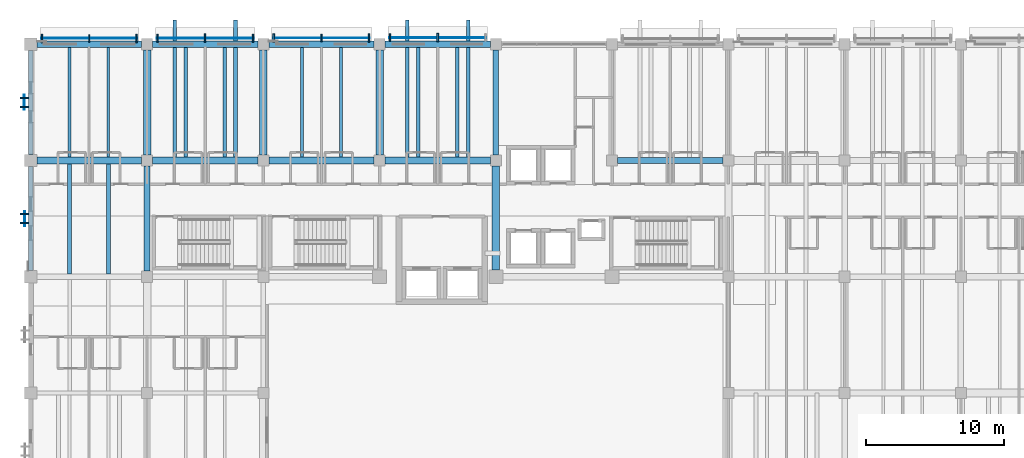
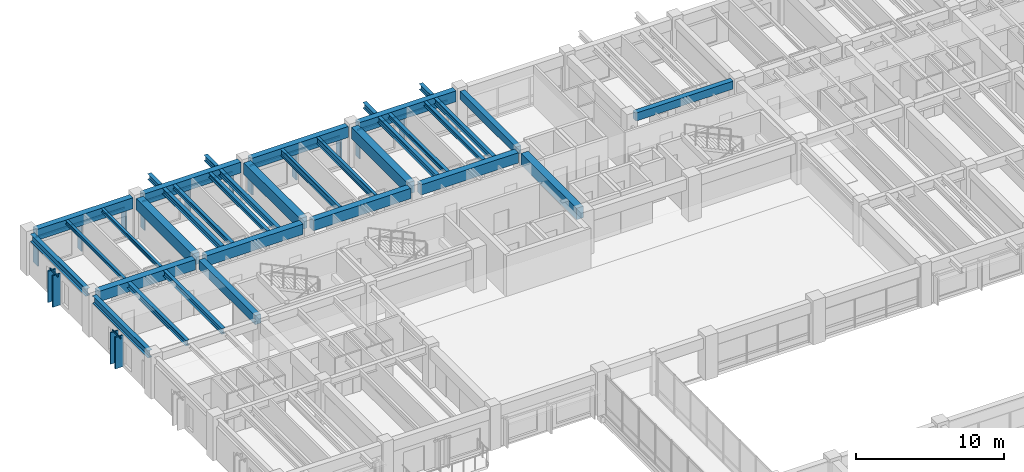
# One storey, part 31 of 118: 31 beams, 21 members, 6 elements without a shape of their own.
"""IFC4 building model written with IfcOpenShell, lengths in metres."""

from ifc_helpers import new_model, si_unit, direction, frame, origin, origin_2d, place, context, subcontext, project, spatial, rectangle, i_section, extrude, material, material_profile, profile_set, type_object, element, aggregate, save


model = new_model("IFC4")

# Units and contexts
model_context = context("Model", 3, precision=1e-05, world=origin(), true_north=direction((0.0, 1.0)))
body_context = subcontext(model_context, "Body", "Model", "MODEL_VIEW")
ifc_project = project(units=[si_unit("LENGTHUNIT", "METRE"), si_unit("AREAUNIT", "SQUARE_METRE"), si_unit("VOLUMEUNIT", "CUBIC_METRE"), si_unit("PLANEANGLEUNIT", "RADIAN"), si_unit("MASSUNIT", "GRAM", prefix="KILO")], contexts=[model_context])

# Site, building, storey
site_placement = place(None, origin())
site = spatial("IfcSite", under=ifc_project, at=site_placement, CompositionType="ELEMENT")
building_placement = place(site_placement, origin())
building = spatial("IfcBuilding", under=site, at=building_placement, Name="Cumbredor Promenade Congress Hotel", CompositionType="ELEMENT")
storey_placement = place(building_placement, frame((0.0, 0.0, 3.919921875)))
storey = spatial("IfcBuildingStorey", under=building, at=storey_placement, Name="L01", CompositionType="ELEMENT", Elevation=3.919921875)

# Beams
ifc_material_1 = material(Name="Concrete C40/50", Category="concrete")
ifc_material_profile_1 = material_profile(ifc_material_1, rectangle(XDim=0.39990234375, YDim=0.64990234375, at=origin_2d()), Name="RC BEAM 400x650")
ifc_profile_set_1 = profile_set([ifc_material_profile_1], Name="Concrete C40/50")
beam_type_1 = type_object("IfcBeamType", Name="BM-RC-400x650", PredefinedType="BEAM", material=ifc_profile_set_1)
beam_1_placement = place(storey_placement, frame((33.60009765625, 109.60009765625, 3.03515625), z_axis=(0.0, 1.0, 0.0), x_axis=(-1.0, 0.0, 0.0)))
element("IfcBeam", 1, at=beam_1_placement, inside=storey, type_object=beam_type_1, Name="L02 Y-Grid Beam 065", PredefinedType="BEAM", context=body_context, shape_type="SweptSolid", body=[
    extrude(rectangle(XDim=0.39990234375, YDim=0.64990234375, at=origin_2d()), origin(), (0.0, 0.0, 1.0), 7.599853515625),
])
beam_2_placement = place(storey_placement, frame((42.39990234375, 109.199951171875, 3.03515625), z_axis=(1.0, 0.0, 0.0), x_axis=(0.0, 1.0, 0.0)))
element("IfcBeam", 2, at=beam_2_placement, inside=storey, type_object=beam_type_1, Name="L02 X-Grid Beam 073", PredefinedType="BEAM", context=body_context, shape_type="SweptSolid", body=[
    extrude(rectangle(XDim=0.39990234375, YDim=0.64990234375, at=origin_2d()), origin(), (0.0, 0.0, 1.0), 7.60009765625),
])
ifc_material_profile_2 = material_profile(ifc_material_1, rectangle(XDim=0.449951171875, YDim=0.75, at=origin_2d()), Name="RC BEAM 450x750")
ifc_profile_set_2 = profile_set([ifc_material_profile_2], Name="Concrete C40/50")
beam_type_2 = type_object("IfcBeamType", Name="BM-RC-450x750", PredefinedType="BEAM", material=ifc_profile_set_2)
beam_3_placement = place(storey_placement, frame((8.39990234375, 101.199951171875, 2.985107421875), z_axis=(0.0, 1.0, 0.0), x_axis=(-1.0, 0.0, 0.0)))
element("IfcBeam", 3, at=beam_3_placement, inside=storey, type_object=beam_type_2, Name="L02 Y-Grid Beam 030", PredefinedType="BEAM", context=body_context, shape_type="SweptSolid", body=[
    extrude(rectangle(XDim=0.449951171875, YDim=0.75, at=origin_2d()), origin(), (0.0, 0.0, 1.0), 7.60009765625),
])
ifc_material_profile_3 = material_profile(ifc_material_1, rectangle(XDim=0.5, YDim=0.85009765625, at=origin_2d()), Name="RC BEAM 500x850")
ifc_profile_set_3 = profile_set([ifc_material_profile_3], Name="Concrete C40/50")
beam_type_3 = type_object("IfcBeamType", Name="BM-RC-500x850", PredefinedType="BEAM", material=ifc_profile_set_3)
beam_4_placement = place(storey_placement, frame((0.449951171875, 109.199951171875, 2.93505859375), z_axis=(1.0, 0.0, 0.0), x_axis=(0.0, 1.0, 0.0)))
element("IfcBeam", 4, at=beam_4_placement, inside=storey, type_object=beam_type_3, Name="L02 X-Grid Beam 007", PredefinedType="BEAM", context=body_context, shape_type="SweptSolid", body=[
    extrude(rectangle(XDim=0.5, YDim=0.85009765625, at=origin_2d()), origin(), (0.0, 0.0, 1.0), 7.550048828125),
])
beam_5_placement = place(storey_placement, frame((8.800048828125, 109.199951171875, 2.93505859375), z_axis=(1.0, 0.0, 0.0), x_axis=(0.0, 1.0, 0.0)))
element("IfcBeam", 5, at=beam_5_placement, inside=storey, type_object=beam_type_3, Name="L02 X-Grid Beam 031", PredefinedType="BEAM", context=body_context, shape_type="SweptSolid", body=[
    extrude(rectangle(XDim=0.5, YDim=0.85009765625, at=origin_2d()), origin(), (0.0, 0.0, 1.0), 7.599853515625),
])
beam_6_placement = place(storey_placement, frame((17.199951171875, 109.199951171875, 2.93505859375), z_axis=(1.0, 0.0, 0.0), x_axis=(0.0, 1.0, 0.0)))
element("IfcBeam", 6, at=beam_6_placement, inside=storey, type_object=beam_type_3, Name="L02 X-Grid Beam 047", PredefinedType="BEAM", context=body_context, shape_type="SweptSolid", body=[
    extrude(rectangle(XDim=0.5, YDim=0.85009765625, at=origin_2d()), origin(), (0.0, 0.0, 1.0), 7.60009765625),
])
beam_7_placement = place(storey_placement, frame((25.60009765625, 109.199951171875, 2.93505859375), z_axis=(1.0, 0.0, 0.0), x_axis=(0.0, 1.0, 0.0)))
element("IfcBeam", 7, at=beam_7_placement, inside=storey, type_object=beam_type_3, Name="L02 X-Grid Beam 055", PredefinedType="BEAM", context=body_context, shape_type="SweptSolid", body=[
    extrude(rectangle(XDim=0.5, YDim=0.85009765625, at=origin_2d()), origin(), (0.0, 0.0, 1.0), 7.599853515625),
])
ifc_material_profile_4 = material_profile(ifc_material_1, rectangle(XDim=0.550048828125, YDim=0.949951171875, at=origin_2d()), Name="RC BEAM 550x950")
ifc_profile_set_4 = profile_set([ifc_material_profile_4], Name="Concrete C40/50")
beam_type_4 = type_object("IfcBeamType", Name="BM-RC-550x950", PredefinedType="BEAM", material=ifc_profile_set_4)
for number, where, z_axis, x_axis, name in (
    (8, (8.39990234375, 109.60009765625, 2.885009765625), (0.0, 1.0, 0.0), (-1.0, 0.0, 0.0), "L02 Y-Grid Beam 032"),
    (9, (16.800048828125, 109.60009765625, 2.885009765625), (0.0, 1.0, 0.0), (-1.0, 0.0, 0.0), "L02 Y-Grid Beam 048"),
    (10, (25.199951171875, 109.60009765625, 2.885009765625), (0.0, 1.0, 0.0), (-1.0, 0.0, 0.0), "L02 Y-Grid Beam 056"),
):
    element("IfcBeam", number, at=place(storey_placement, frame(where, z_axis=z_axis, x_axis=x_axis)), inside=storey, type_object=beam_type_4, Name=name, PredefinedType="BEAM", context=body_context, shape_type="SweptSolid", body=[
        extrude(rectangle(XDim=0.550048828125, YDim=0.949951171875, at=origin_2d()), origin(), (0.0, 0.0, 1.0), 7.599853515625),
    ])
beam_8_placement = place(storey_placement, frame((33.60009765625, 101.300048828125, 2.885009765625), z_axis=(0.0, 1.0, 0.0), x_axis=(-1.0, 0.0, 0.0)))
element("IfcBeam", 11, at=beam_8_placement, inside=storey, type_object=beam_type_4, Name="L02 Y-Grid Beam 064", PredefinedType="BEAM", context=body_context, shape_type="SweptSolid", body=[
    extrude(rectangle(XDim=0.550048828125, YDim=0.949951171875, at=origin_2d()), origin(), (0.0, 0.0, 1.0), 7.5),
])

# Curtain wall, member
ifc_material_2 = material(Name="Thermally broken anodized aluminium and low-E glass", Category="aluminium")
curtain_wall_type = type_object("IfcCurtainWallType", Name="Solar Brise-Soleil Screen Assembly CW-07", PredefinedType="NOTDEFINED", material=ifc_material_2)
curtain_wall_1_placement = place(storey_placement, origin())
curtain_wall_1 = element("IfcCurtainWall", 12, at=curtain_wall_1_placement, inside=storey, type_object=curtain_wall_type, Name="L01 Hospitality Brise-Soleil Screen 021", PredefinedType="NOTDEFINED")
ifc_material_3 = material(Name="Thermally broken anodized aluminium", Category="aluminium")
ifc_material_profile_5 = material_profile(ifc_material_3, rectangle(XDim=0.06494140625, YDim=0.1298828125, at=origin_2d()), Name="ALU TRANSOM 65x130")
ifc_profile_set_5 = profile_set([ifc_material_profile_5], Name="Thermally broken anodized aluminium")
member_type_1 = type_object("IfcMemberType", Name="Curtain Wall Transom TR-01", PredefinedType="USERDEFINED", material=ifc_profile_set_5)
member_1_placement = place(storey_placement, frame((0.7509765625, 118.0224609375, 2.26513671875), z_axis=(1.0, 0.0, 0.0), x_axis=(0.0, 1.0, 0.0)))
member_1 = element("IfcMember", 13, at=member_1_placement, type_object=member_type_1, Name="L01 Brise-Soleil Screen Transom 021", ObjectType="TRANSOM", PredefinedType="USERDEFINED", context=body_context, shape_type="SweptSolid", body=[
    extrude(rectangle(XDim=0.06494140625, YDim=0.1298828125, at=origin_2d()), origin(), (0.0, 0.0, 1.0), 6.947998046875),
])

curtain_wall_2_placement = place(storey_placement, origin())
curtain_wall_2 = element("IfcCurtainWall", 14, at=curtain_wall_2_placement, inside=storey, type_object=curtain_wall_type, Name="L01 Hospitality Brise-Soleil Screen 022", PredefinedType="NOTDEFINED")
member_2_placement = place(storey_placement, frame((9.10107421875, 118.034912109375, 2.26513671875), z_axis=(1.0, 0.0, 0.0), x_axis=(0.0, 1.0, 0.0)))
member_2 = element("IfcMember", 15, at=member_2_placement, type_object=member_type_1, Name="L01 Brise-Soleil Screen Transom 022", ObjectType="TRANSOM", PredefinedType="USERDEFINED", context=body_context, shape_type="SweptSolid", body=[
    extrude(rectangle(XDim=0.06494140625, YDim=0.1298828125, at=origin_2d()), origin(), (0.0, 0.0, 1.0), 6.998046875),
])

curtain_wall_3_placement = place(storey_placement, origin())
curtain_wall_3 = element("IfcCurtainWall", 16, at=curtain_wall_3_placement, inside=storey, type_object=curtain_wall_type, Name="L01 Hospitality Brise-Soleil Screen 023", PredefinedType="NOTDEFINED")
member_3_placement = place(storey_placement, frame((17.5009765625, 118.050048828125, 2.26513671875), z_axis=(1.0, 0.0, 0.0), x_axis=(0.0, 1.0, 0.0)))
member_3 = element("IfcMember", 17, at=member_3_placement, type_object=member_type_1, Name="L01 Brise-Soleil Screen Transom 023", ObjectType="TRANSOM", PredefinedType="USERDEFINED", context=body_context, shape_type="SweptSolid", body=[
    extrude(rectangle(XDim=0.06494140625, YDim=0.1298828125, at=origin_2d()), origin(), (0.0, 0.0, 1.0), 6.998046875),
])

curtain_wall_4_placement = place(storey_placement, origin())
curtain_wall_4 = element("IfcCurtainWall", 18, at=curtain_wall_4_placement, inside=storey, type_object=curtain_wall_type, Name="L01 Hospitality Brise-Soleil Screen 024", PredefinedType="NOTDEFINED")
member_4_placement = place(storey_placement, frame((25.90087890625, 118.072509765625, 2.26513671875), z_axis=(1.0, 0.0, 0.0), x_axis=(0.0, 1.0, 0.0)))
member_4 = element("IfcMember", 19, at=member_4_placement, type_object=member_type_1, Name="L01 Brise-Soleil Screen Transom 024", ObjectType="TRANSOM", PredefinedType="USERDEFINED", context=body_context, shape_type="SweptSolid", body=[
    extrude(rectangle(XDim=0.06494140625, YDim=0.1298828125, at=origin_2d()), origin(), (0.0, 0.0, 1.0), 6.998046875),
])

curtain_wall_5_placement = place(storey_placement, origin())
curtain_wall_5 = element("IfcCurtainWall", 20, at=curtain_wall_5_placement, inside=storey, type_object=curtain_wall_type, Name="L01 Pier Brise-Soleil Screen 0337", PredefinedType="NOTDEFINED")
member_5_placement = place(storey_placement, frame((-0.449951171875, 104.449951171875, 2.573974609375), z_axis=(0.0, 1.0, 0.0), x_axis=(-1.0, 0.0, 0.0)))
member_5 = element("IfcMember", 21, at=member_5_placement, type_object=member_type_1, Name="L01 Pier Brise-Soleil Header 0339", ObjectType="TRANSOM", PredefinedType="USERDEFINED", context=body_context, shape_type="SweptSolid", body=[
    extrude(rectangle(XDim=0.06494140625, YDim=0.1298828125, at=origin_2d()), origin(), (0.0, 0.0, 1.0), 1.10009765625),
])

curtain_wall_6_placement = place(storey_placement, origin())
curtain_wall_6 = element("IfcCurtainWall", 22, at=curtain_wall_6_placement, inside=storey, type_object=curtain_wall_type, Name="L01 Pier Brise-Soleil Screen 0340", PredefinedType="NOTDEFINED")
member_6_placement = place(storey_placement, frame((-0.472412109375, 112.85009765625, 2.573974609375), z_axis=(0.0, 1.0, 0.0), x_axis=(-1.0, 0.0, 0.0)))
member_6 = element("IfcMember", 23, at=member_6_placement, type_object=member_type_1, Name="L01 Pier Brise-Soleil Header 0342", ObjectType="TRANSOM", PredefinedType="USERDEFINED", context=body_context, shape_type="SweptSolid", body=[
    extrude(rectangle(XDim=0.06494140625, YDim=0.1298828125, at=origin_2d()), origin(), (0.0, 0.0, 1.0), 1.099853515625),
])

# Beams
ifc_material_4 = material(Name="Steel ASTM A992 Grade 50", Category="steel")
ifc_material_profile_6 = material_profile(ifc_material_4, i_section(OverallWidth=0.202880859375, OverallDepth=0.302978515625, WebThickness=0.007568359375, FlangeThickness=0.01318359375, at=origin_2d()), Name="W12X40")
ifc_profile_set_6 = profile_set([ifc_material_profile_6], Name="Steel ASTM A992 Grade 50")
beam_type_5 = type_object("IfcBeamType", Name="JST-W12X40", PredefinedType="JOIST", material=ifc_profile_set_6)
for number, where, z_axis, x_axis, name in (
    (24, (2.800048828125, 109.449951171875, 3.20849609375), (0.0, 1.0, 0.0), (-1.0, 0.0, 0.0), "L02 Secondary Floor Joist 0007"),
    (25, (5.60009765625, 109.449951171875, 3.20849609375), (0.0, 1.0, 0.0), (-1.0, 0.0, 0.0), "L02 Secondary Floor Joist 0008"),
):
    element("IfcBeam", number, at=place(storey_placement, frame(where, z_axis=z_axis, x_axis=x_axis)), inside=storey, type_object=beam_type_5, Name=name, PredefinedType="JOIST", context=body_context, shape_type="SweptSolid", body=[
        extrude(i_section(OverallWidth=0.202880859375, OverallDepth=0.302978515625, WebThickness=0.007568359375, FlangeThickness=0.01318359375, at=origin_2d()), origin(), (0.0, 0.0, 1.0), 7.925048828125),
    ])
ifc_material_profile_7 = material_profile(ifc_material_4, i_section(OverallWidth=0.2548828125, OverallDepth=0.35693359375, WebThickness=0.010498046875, FlangeThickness=0.018310546875, at=origin_2d()), Name="W14X68")
ifc_profile_set_7 = profile_set([ifc_material_profile_7], Name="Steel ASTM A992 Grade 50")
beam_type_6 = type_object("IfcBeamType", Name="JST-W14X68", PredefinedType="JOIST", material=ifc_profile_set_7)
for number, where, z_axis, x_axis, name in (
    (26, (11.199951171875, 109.449951171875, 3.181640625), (0.0, 1.0, 0.0), (-1.0, 0.0, 0.0), "L02 Secondary Floor Joist 0023"),
    (27, (14.0, 109.449951171875, 3.181640625), (0.0, 1.0, 0.0), (-1.0, 0.0, 0.0), "L02 Secondary Floor Joist 0024"),
    (28, (28.0, 109.449951171875, 3.181640625), (0.0, 1.0, 0.0), (-1.0, 0.0, 0.0), "L02 Secondary Floor Joist 0028"),
    (29, (30.800048828125, 109.449951171875, 3.181640625), (0.0, 1.0, 0.0), (-1.0, 0.0, 0.0), "L02 Secondary Floor Joist 0029"),
):
    element("IfcBeam", number, at=place(storey_placement, frame(where, z_axis=z_axis, x_axis=x_axis)), inside=storey, type_object=beam_type_6, Name=name, PredefinedType="JOIST", context=body_context, shape_type="SweptSolid", body=[
        extrude(i_section(OverallWidth=0.2548828125, OverallDepth=0.35693359375, WebThickness=0.010498046875, FlangeThickness=0.018310546875, at=origin_2d()), origin(), (0.0, 0.0, 1.0), 7.925048828125),
    ])
ifc_material_profile_8 = material_profile(ifc_material_4, i_section(OverallWidth=0.280029296875, OverallDepth=0.462890625, WebThickness=0.0107421875, FlangeThickness=0.017333984375, at=origin_2d()), Name="W18X76")
ifc_profile_set_8 = profile_set([ifc_material_profile_8], Name="Steel ASTM A992 Grade 50")
beam_type_7 = type_object("IfcBeamType", Name="JST-W18X76", PredefinedType="JOIST", material=ifc_profile_set_8)
for number, where, z_axis, x_axis, name in (
    (30, (10.39990234375, 109.199951171875, 3.128662109375), (0.0, 1.0, 0.0), (-1.0, 0.0, 0.0), "L02 Balcony Back-Spanned Outrigger Beam 004.1"),
    (31, (14.800048828125, 109.199951171875, 3.128662109375), (0.0, 1.0, 0.0), (-1.0, 0.0, 0.0), "L02 Balcony Back-Spanned Outrigger Beam 004.2"),
    (32, (27.199951171875, 109.199951171875, 3.128662109375), (0.0, 1.0, 0.0), (-1.0, 0.0, 0.0), "L02 Balcony Back-Spanned Outrigger Beam 005.1"),
    (33, (31.60009765625, 109.199951171875, 3.128662109375), (0.0, 1.0, 0.0), (-1.0, 0.0, 0.0), "L02 Balcony Back-Spanned Outrigger Beam 005.2"),
):
    element("IfcBeam", number, at=place(storey_placement, frame(where, z_axis=z_axis, x_axis=x_axis)), inside=storey, type_object=beam_type_7, Name=name, PredefinedType="JOIST", context=body_context, shape_type="SweptSolid", body=[
        extrude(i_section(OverallWidth=0.280029296875, OverallDepth=0.462890625, WebThickness=0.0107421875, FlangeThickness=0.017333984375, at=origin_2d()), origin(), (0.0, 0.0, 1.0), 10.150146484375),
    ])
for number, where, z_axis, x_axis, name in (
    (34, (2.800048828125, 101.0, 3.128662109375), (0.0, 1.0, 0.0), (-1.0, 0.0, 0.0), "L02 Secondary Floor Joist 0005"),
    (35, (5.60009765625, 101.0, 3.128662109375), (0.0, 1.0, 0.0), (-1.0, 0.0, 0.0), "L02 Secondary Floor Joist 0006"),
):
    element("IfcBeam", number, at=place(storey_placement, frame(where, z_axis=z_axis, x_axis=x_axis)), inside=storey, type_object=beam_type_7, Name=name, PredefinedType="JOIST", context=body_context, shape_type="SweptSolid", body=[
        extrude(i_section(OverallWidth=0.280029296875, OverallDepth=0.462890625, WebThickness=0.0107421875, FlangeThickness=0.017333984375, at=origin_2d()), origin(), (0.0, 0.0, 1.0), 7.949951171875),
    ])
ifc_material_profile_9 = material_profile(ifc_material_4, i_section(OverallWidth=0.214111328125, OverallDepth=0.549072265625, WebThickness=0.0146484375, FlangeThickness=0.023681640625, at=origin_2d()), Name="W21X93")
ifc_profile_set_9 = profile_set([ifc_material_profile_9], Name="Steel ASTM A992 Grade 50")
beam_type_8 = type_object("IfcBeamType", Name="JST-W21X93", PredefinedType="JOIST", material=ifc_profile_set_9)
for number, where, z_axis, x_axis, name in (
    (36, (19.60009765625, 109.449951171875, 3.085693359375), (0.0, 1.0, 0.0), (-1.0, 0.0, 0.0), "L02 Secondary Floor Joist 0026"),
    (37, (22.39990234375, 109.449951171875, 3.085693359375), (0.0, 1.0, 0.0), (-1.0, 0.0, 0.0), "L02 Secondary Floor Joist 0027"),
):
    element("IfcBeam", number, at=place(storey_placement, frame(where, z_axis=z_axis, x_axis=x_axis)), inside=storey, type_object=beam_type_8, Name=name, PredefinedType="JOIST", context=body_context, shape_type="SweptSolid", body=[
        extrude(i_section(OverallWidth=0.214111328125, OverallDepth=0.549072265625, WebThickness=0.0146484375, FlangeThickness=0.023681640625, at=origin_2d()), origin(), (0.0, 0.0, 1.0), 7.925048828125),
    ])
ifc_material_profile_10 = material_profile(ifc_material_1, rectangle(XDim=0.449951171875, YDim=0.89990234375, at=origin_2d()), Name="RC SPANDREL 450x900")
ifc_profile_set_10 = profile_set([ifc_material_profile_10], Name="Concrete C40/50")
beam_type_9 = type_object("IfcBeamType", Name="SP-RC-450x900", PredefinedType="SPANDREL", material=ifc_profile_set_10)
beam_9_placement = place(storey_placement, frame((0.449951171875, 117.60009765625, 2.91015625), z_axis=(1.0, 0.0, 0.0), x_axis=(0.0, 1.0, 0.0)))
element("IfcBeam", 38, at=beam_9_placement, inside=storey, type_object=beam_type_9, Name="L02 X-Grid Beam 009", PredefinedType="SPANDREL", context=body_context, shape_type="SweptSolid", body=[
    extrude(rectangle(XDim=0.449951171875, YDim=0.89990234375, at=origin_2d()), origin(), (0.0, 0.0, 1.0), 7.550048828125),
])
beam_10_placement = place(storey_placement, frame((8.800048828125, 117.60009765625, 2.91015625), z_axis=(1.0, 0.0, 0.0), x_axis=(0.0, 1.0, 0.0)))
element("IfcBeam", 39, at=beam_10_placement, inside=storey, type_object=beam_type_9, Name="L02 X-Grid Beam 033", PredefinedType="SPANDREL", context=body_context, shape_type="SweptSolid", body=[
    extrude(rectangle(XDim=0.449951171875, YDim=0.89990234375, at=origin_2d()), origin(), (0.0, 0.0, 1.0), 7.599853515625),
])
beam_11_placement = place(storey_placement, frame((17.199951171875, 117.60009765625, 2.91015625), z_axis=(1.0, 0.0, 0.0), x_axis=(0.0, 1.0, 0.0)))
element("IfcBeam", 40, at=beam_11_placement, inside=storey, type_object=beam_type_9, Name="L02 X-Grid Beam 049", PredefinedType="SPANDREL", context=body_context, shape_type="SweptSolid", body=[
    extrude(rectangle(XDim=0.449951171875, YDim=0.89990234375, at=origin_2d()), origin(), (0.0, 0.0, 1.0), 7.60009765625),
])
beam_12_placement = place(storey_placement, frame((25.60009765625, 117.60009765625, 2.91015625), z_axis=(1.0, 0.0, 0.0), x_axis=(0.0, 1.0, 0.0)))
element("IfcBeam", 41, at=beam_12_placement, inside=storey, type_object=beam_type_9, Name="L02 X-Grid Beam 057", PredefinedType="SPANDREL", context=body_context, shape_type="SweptSolid", body=[
    extrude(rectangle(XDim=0.449951171875, YDim=0.89990234375, at=origin_2d()), origin(), (0.0, 0.0, 1.0), 7.599853515625),
])
ifc_material_profile_11 = material_profile(ifc_material_4, i_section(OverallWidth=0.323974609375, OverallDepth=0.611083984375, WebThickness=0.0126953125, FlangeThickness=0.01904296875, at=origin_2d()), Name="W24X104")
ifc_profile_set_11 = profile_set([ifc_material_profile_11], Name="Steel ASTM A992 Grade 50")
beam_type_10 = type_object("IfcBeamType", Name="SP-W24X104", PredefinedType="SPANDREL", material=ifc_profile_set_11)
for number, where, z_axis, x_axis, name in (
    (42, (0.0, 101.25, 3.0546875), (0.0, 1.0, 0.0), (-1.0, 0.0, 0.0), "L02 Y-Grid Beam 006"),
    (43, (0.0, 109.64990234375, 3.0546875), (0.0, 1.0, 0.0), (-1.0, 0.0, 0.0), "L02 Y-Grid Beam 008"),
):
    element("IfcBeam", number, at=place(storey_placement, frame(where, z_axis=z_axis, x_axis=x_axis)), inside=storey, type_object=beam_type_10, Name=name, PredefinedType="SPANDREL", context=body_context, shape_type="SweptSolid", body=[
        extrude(i_section(OverallWidth=0.323974609375, OverallDepth=0.611083984375, WebThickness=0.0126953125, FlangeThickness=0.01904296875, at=origin_2d()), origin(), (0.0, 0.0, 1.0), 7.5),
    ])

# Member
ifc_material_profile_12 = material_profile(ifc_material_3, rectangle(XDim=0.110107421875, YDim=0.6201171875, at=origin_2d()), Name="ARCH FIN 110x620")
ifc_profile_set_12 = profile_set([ifc_material_profile_12], Name="Thermally broken anodized aluminium")
member_type_2 = type_object("IfcMemberType", Name="Vertical Bronze Brise-Soleil Fin BSF-02 110x620", PredefinedType="USERDEFINED", material=ifc_profile_set_12)
member_7_placement = place(storey_placement, frame((0.801025390625, 118.0224609375, 0.02001953125), z_axis=(0.0, 0.0, 1.0), x_axis=(1.0, 0.0, 0.0)))
member_7 = element("IfcMember", 44, at=member_7_placement, type_object=member_type_2, Name="L01 Vertical Brise-Soleil Fin 0304", ObjectType="SOLAR FIN", PredefinedType="USERDEFINED", context=body_context, shape_type="SweptSolid", body=[
    extrude(rectangle(XDim=0.110107421875, YDim=0.6201171875, at=origin_2d()), origin(), (0.0, 0.0, 1.0), 2.30517578125),
])

member_8_placement = place(storey_placement, frame((7.64892578125, 118.0224609375, 0.02001953125), z_axis=(0.0, 0.0, 1.0), x_axis=(1.0, 0.0, 0.0)))
member_8 = element("IfcMember", 45, at=member_8_placement, type_object=member_type_2, Name="L01 Vertical Brise-Soleil Fin 0306", ObjectType="SOLAR FIN", PredefinedType="USERDEFINED", context=body_context, shape_type="SweptSolid", body=[
    extrude(rectangle(XDim=0.110107421875, YDim=0.6201171875, at=origin_2d()), origin(), (0.0, 0.0, 1.0), 2.30517578125),
])

member_9_placement = place(storey_placement, frame((12.60009765625, 118.034912109375, 0.02001953125), z_axis=(0.0, 0.0, 1.0), x_axis=(1.0, 0.0, 0.0)))
member_9 = element("IfcMember", 46, at=member_9_placement, type_object=member_type_2, Name="L01 Vertical Brise-Soleil Fin 0308", ObjectType="SOLAR FIN", PredefinedType="USERDEFINED", context=body_context, shape_type="SweptSolid", body=[
    extrude(rectangle(XDim=0.110107421875, YDim=0.6201171875, at=origin_2d()), origin(), (0.0, 0.0, 1.0), 2.30517578125),
])

member_10_placement = place(storey_placement, frame((17.551025390625, 118.050048828125, 0.02001953125), z_axis=(0.0, 0.0, 1.0), x_axis=(1.0, 0.0, 0.0)))
member_10 = element("IfcMember", 47, at=member_10_placement, type_object=member_type_2, Name="L01 Vertical Brise-Soleil Fin 0310", ObjectType="SOLAR FIN", PredefinedType="USERDEFINED", context=body_context, shape_type="SweptSolid", body=[
    extrude(rectangle(XDim=0.110107421875, YDim=0.6201171875, at=origin_2d()), origin(), (0.0, 0.0, 1.0), 2.30517578125),
])

member_11_placement = place(storey_placement, frame((24.448974609375, 118.050048828125, 0.02001953125), z_axis=(0.0, 0.0, 1.0), x_axis=(1.0, 0.0, 0.0)))
member_11 = element("IfcMember", 48, at=member_11_placement, type_object=member_type_2, Name="L01 Vertical Brise-Soleil Fin 0312", ObjectType="SOLAR FIN", PredefinedType="USERDEFINED", context=body_context, shape_type="SweptSolid", body=[
    extrude(rectangle(XDim=0.110107421875, YDim=0.6201171875, at=origin_2d()), origin(), (0.0, 0.0, 1.0), 2.30517578125),
])

member_12_placement = place(storey_placement, frame((29.39990234375, 118.072509765625, 0.02001953125), z_axis=(0.0, 0.0, 1.0), x_axis=(1.0, 0.0, 0.0)))
member_12 = element("IfcMember", 49, at=member_12_placement, type_object=member_type_2, Name="L01 Vertical Brise-Soleil Fin 0314", ObjectType="SOLAR FIN", PredefinedType="USERDEFINED", context=body_context, shape_type="SweptSolid", body=[
    extrude(rectangle(XDim=0.110107421875, YDim=0.6201171875, at=origin_2d()), origin(), (0.0, 0.0, 1.0), 2.30517578125),
])

member_13_placement = place(storey_placement, frame((-0.449951171875, 104.679931640625, 0.02001953125), z_axis=(0.0, 0.0, 1.0), x_axis=(0.0, 1.0, 0.0)))
member_13 = element("IfcMember", 50, at=member_13_placement, type_object=member_type_2, Name="L01 Pier Brise-Soleil Fin 0338", ObjectType="SOLAR FIN", PredefinedType="USERDEFINED", context=body_context, shape_type="SweptSolid", body=[
    extrude(rectangle(XDim=0.110107421875, YDim=0.6201171875, at=origin_2d()), origin(), (0.0, 0.0, 1.0), 2.593994140625),
])

member_14_placement = place(storey_placement, frame((-0.449951171875, 105.320068359375, 0.02001953125), z_axis=(0.0, 0.0, 1.0), x_axis=(0.0, 1.0, 0.0)))
member_14 = element("IfcMember", 51, at=member_14_placement, type_object=member_type_2, Name="L01 Pier Brise-Soleil Fin 0339", ObjectType="SOLAR FIN", PredefinedType="USERDEFINED", context=body_context, shape_type="SweptSolid", body=[
    extrude(rectangle(XDim=0.110107421875, YDim=0.6201171875, at=origin_2d()), origin(), (0.0, 0.0, 1.0), 2.593994140625),
])

aggregate(curtain_wall_5, [member_13, member_14, member_5])

member_15_placement = place(storey_placement, frame((-0.472412109375, 113.080078125, 0.02001953125), z_axis=(0.0, 0.0, 1.0), x_axis=(0.0, 1.0, 0.0)))
member_15 = element("IfcMember", 52, at=member_15_placement, type_object=member_type_2, Name="L01 Pier Brise-Soleil Fin 0341", ObjectType="SOLAR FIN", PredefinedType="USERDEFINED", context=body_context, shape_type="SweptSolid", body=[
    extrude(rectangle(XDim=0.110107421875, YDim=0.6201171875, at=origin_2d()), origin(), (0.0, 0.0, 1.0), 2.593994140625),
])

member_16_placement = place(storey_placement, frame((-0.472412109375, 113.719970703125, 0.02001953125), z_axis=(0.0, 0.0, 1.0), x_axis=(0.0, 1.0, 0.0)))
member_16 = element("IfcMember", 53, at=member_16_placement, type_object=member_type_2, Name="L01 Pier Brise-Soleil Fin 0342", ObjectType="SOLAR FIN", PredefinedType="USERDEFINED", context=body_context, shape_type="SweptSolid", body=[
    extrude(rectangle(XDim=0.110107421875, YDim=0.6201171875, at=origin_2d()), origin(), (0.0, 0.0, 1.0), 2.593994140625),
])

aggregate(curtain_wall_6, [member_15, member_16, member_6])

ifc_material_5 = material(Name="Kiln-dried tropical hardwood", Category="wood")
ifc_material_profile_13 = material_profile(ifc_material_5, rectangle(XDim=0.090087890625, YDim=0.550048828125, at=origin_2d()), Name="ARCH FIN 90x550")
ifc_profile_set_13 = profile_set([ifc_material_profile_13], Name="Kiln-dried tropical hardwood")
member_type_3 = type_object("IfcMemberType", Name="Vertical Hardwood Brise-Soleil Fin BSF-01 90x550", PredefinedType="USERDEFINED", material=ifc_profile_set_13)
member_17_placement = place(storey_placement, frame((4.22509765625, 118.0224609375, 0.02001953125), z_axis=(0.0, 0.0, 1.0), x_axis=(1.0, 0.0, 0.0)))
member_17 = element("IfcMember", 54, at=member_17_placement, type_object=member_type_3, Name="L01 Vertical Brise-Soleil Fin 0305", ObjectType="SOLAR FIN", PredefinedType="USERDEFINED", context=body_context, shape_type="SweptSolid", body=[
    extrude(rectangle(XDim=0.090087890625, YDim=0.550048828125, at=origin_2d()), origin(), (0.0, 0.0, 1.0), 2.30517578125),
])

aggregate(curtain_wall_1, [member_1, member_7, member_17, member_8])

member_18_placement = place(storey_placement, frame((9.15087890625, 118.034912109375, 0.02001953125), z_axis=(0.0, 0.0, 1.0), x_axis=(1.0, 0.0, 0.0)))
member_18 = element("IfcMember", 55, at=member_18_placement, type_object=member_type_3, Name="L01 Vertical Brise-Soleil Fin 0307", ObjectType="SOLAR FIN", PredefinedType="USERDEFINED", context=body_context, shape_type="SweptSolid", body=[
    extrude(rectangle(XDim=0.090087890625, YDim=0.550048828125, at=origin_2d()), origin(), (0.0, 0.0, 1.0), 2.30517578125),
])

member_19_placement = place(storey_placement, frame((16.049072265625, 118.034912109375, 0.02001953125), z_axis=(0.0, 0.0, 1.0), x_axis=(1.0, 0.0, 0.0)))
member_19 = element("IfcMember", 56, at=member_19_placement, type_object=member_type_3, Name="L01 Vertical Brise-Soleil Fin 0309", ObjectType="SOLAR FIN", PredefinedType="USERDEFINED", context=body_context, shape_type="SweptSolid", body=[
    extrude(rectangle(XDim=0.090087890625, YDim=0.550048828125, at=origin_2d()), origin(), (0.0, 0.0, 1.0), 2.30517578125),
])

aggregate(curtain_wall_2, [member_2, member_18, member_9, member_19])

member_20_placement = place(storey_placement, frame((21.0, 118.050048828125, 0.02001953125), z_axis=(0.0, 0.0, 1.0), x_axis=(1.0, 0.0, 0.0)))
member_20 = element("IfcMember", 57, at=member_20_placement, type_object=member_type_3, Name="L01 Vertical Brise-Soleil Fin 0311", ObjectType="SOLAR FIN", PredefinedType="USERDEFINED", context=body_context, shape_type="SweptSolid", body=[
    extrude(rectangle(XDim=0.090087890625, YDim=0.550048828125, at=origin_2d()), origin(), (0.0, 0.0, 1.0), 2.30517578125),
])

aggregate(curtain_wall_3, [member_3, member_10, member_20, member_11])

member_21_placement = place(storey_placement, frame((25.950927734375, 118.072509765625, 0.02001953125), z_axis=(0.0, 0.0, 1.0), x_axis=(1.0, 0.0, 0.0)))
member_21 = element("IfcMember", 58, at=member_21_placement, type_object=member_type_3, Name="L01 Vertical Brise-Soleil Fin 0313", ObjectType="SOLAR FIN", PredefinedType="USERDEFINED", context=body_context, shape_type="SweptSolid", body=[
    extrude(rectangle(XDim=0.090087890625, YDim=0.550048828125, at=origin_2d()), origin(), (0.0, 0.0, 1.0), 2.30517578125),
])

aggregate(curtain_wall_4, [member_4, member_21, member_12])

save(model, "model.ifc")
